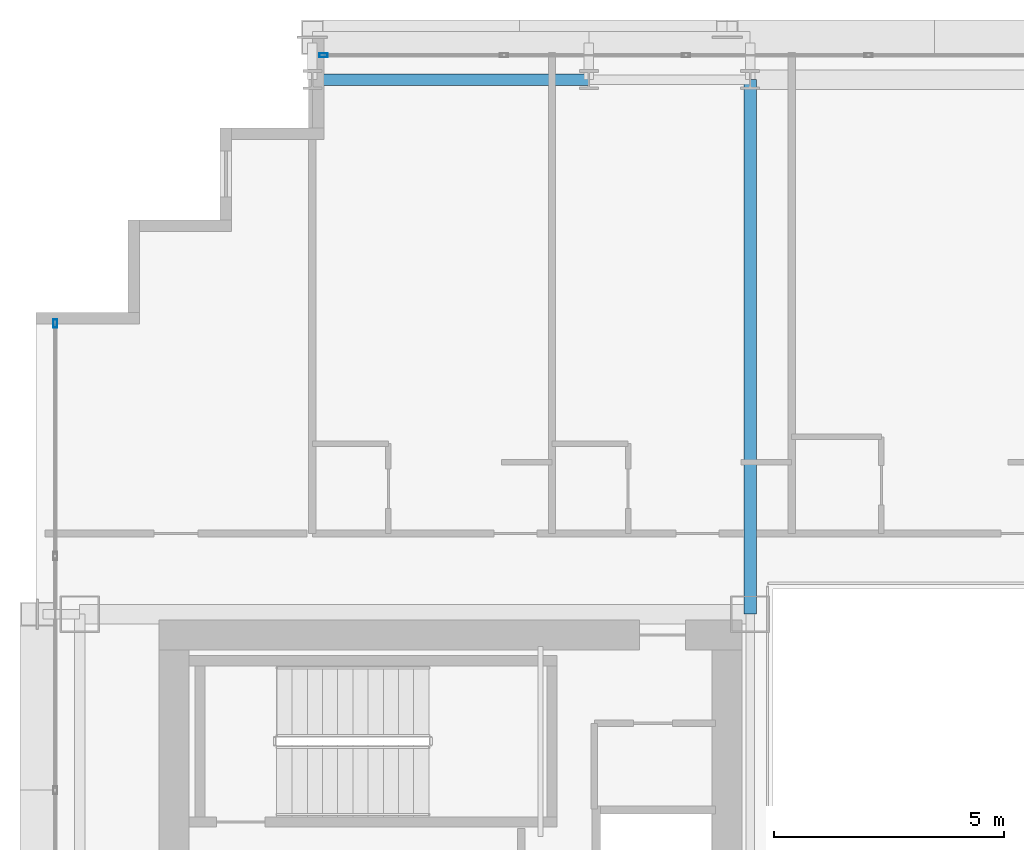
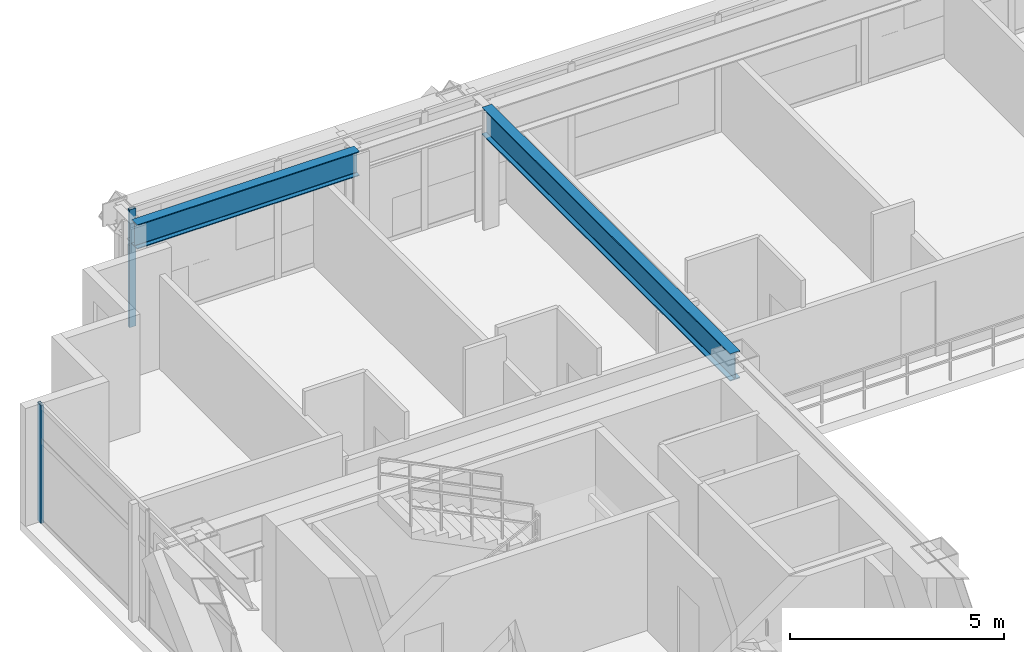
# One storey, part 17 of 35: 2 beams, 2 members, 2 elements without a shape of their own.
"""IFC4 building model written with IfcOpenShell, lengths in metres."""

import ifcopenshell
import ifcopenshell.guid

model = None  # the IFC model being written
_history = None  # IfcOwnerHistory: only IFC2X3 demands one
_inside = {}  # id of a spatial element -> (the spatial element, [elements in it])
_under = {}  # id of a project, library or spatial element -> (it, [spatial elements below it])
_declared = {}  # id of a project -> (the project, [libraries it declares])
_typed = {}  # id of a type object -> (the type object, [elements of that type])
_made_of = {}  # id of a material, layer set ... -> (it, [elements and type objects made of it])


def new_model(schema):
    """Start an empty IFC model of exactly this schema.

    Asked for "IFC4X3", IfcOpenShell would pick the latest addendum, in which some entities
    have other attributes; the version numbers below select the first issue.
    IFC2X3 requires an IfcOwnerHistory on every rooted entity: one is made here for all.
    """
    global model, _history
    if schema == "IFC4X3":
        model = ifcopenshell.file(schema_version=(4, 3, 0, 0))
    else:
        model = ifcopenshell.file(schema=schema)
    _inside.clear()
    _under.clear()
    _declared.clear()
    _typed.clear()
    _made_of.clear()
    _history = None
    if model.schema == "IFC2X3":
        org = make("IfcOrganization", Name="unknown")
        user = make(
            "IfcPersonAndOrganization",
            ThePerson=make("IfcPerson", FamilyName="unknown"),
            TheOrganization=org,
        )
        app = make(
            "IfcApplication",
            ApplicationDeveloper=org,
            Version="unknown",
            ApplicationFullName="unknown",
            ApplicationIdentifier="unknown",
        )
        _history = make(
            "IfcOwnerHistory",
            OwningUser=user,
            OwningApplication=app,
            ChangeAction="ADDED",
            CreationDate=0,
        )
    return model


def make(cls, **values):
    """One entity of the class cls with the attributes given. An attribute that is None is left unset."""
    return model.create_entity(
        cls, **{name: value for name, value in values.items() if value is not None}
    )


def rooted(cls, **values):
    """An entity with a GlobalId (a new one), such as an element, a storey or a relation."""
    return make(cls, GlobalId=ifcopenshell.guid.new(), OwnerHistory=_history, **values)


def si_unit(unit_type, name, prefix=None):
    """IfcSIUnit, for example si_unit("LENGTHUNIT", "METRE", prefix="MILLI")."""
    return make("IfcSIUnit", UnitType=unit_type, Prefix=prefix, Name=name)


def assignment(units):
    """IfcUnitAssignment: the units of a project."""
    return None if units is None else make("IfcUnitAssignment", Units=units)


def point(xyz):
    """IfcCartesianPoint."""
    return None if xyz is None else make("IfcCartesianPoint", Coordinates=xyz)


def direction(xyz):
    """IfcDirection."""
    return None if xyz is None else make("IfcDirection", DirectionRatios=xyz)


def frame(location, z_axis=None, x_axis=None):
    """IfcAxis2Placement3D, a coordinate frame: its origin and axes. An axis left out is left unset."""
    return make(
        "IfcAxis2Placement3D",
        Location=point(location),
        Axis=direction(z_axis),
        RefDirection=direction(x_axis),
    )


def frame_2d(location, x_axis=None):
    """IfcAxis2Placement2D, a coordinate frame in the plane: its origin and x axis."""
    return make(
        "IfcAxis2Placement2D", Location=point(location), RefDirection=direction(x_axis)
    )


def origin():
    """The frame at (0, 0, 0) with its axes left unset."""
    return frame((0.0, 0.0, 0.0))


def origin_2d():
    """The frame at (0, 0) in the plane with its x axis left unset."""
    return frame_2d((0.0, 0.0))


def place(relative_to, where):
    """IfcLocalPlacement: puts the frame where relative to a parent placement (None: the world)."""
    return make(
        "IfcLocalPlacement", PlacementRelTo=relative_to, RelativePlacement=where
    )


def context(
    kind, dimensions, precision=None, world=None, true_north=None, identifier=None
):
    """IfcGeometricRepresentationContext, for example the 3D "Model" context."""
    return make(
        "IfcGeometricRepresentationContext",
        ContextIdentifier=identifier,
        ContextType=kind,
        CoordinateSpaceDimension=dimensions,
        Precision=precision,
        WorldCoordinateSystem=world,
        TrueNorth=true_north,
    )


def subcontext(parent, identifier, kind, view, scale=None):
    """IfcGeometricRepresentationSubContext, for example "Body" below "Model"."""
    return make(
        "IfcGeometricRepresentationSubContext",
        ContextIdentifier=identifier,
        ContextType=kind,
        ParentContext=parent,
        TargetScale=scale,
        TargetView=view,
    )


def project(units=None, contexts=None):
    """IfcProject with its units and contexts."""
    return rooted(
        "IfcProject",
        Name="project",
        RepresentationContexts=contexts,
        UnitsInContext=assignment(units),
    )


def spatial(cls, under=None, at=None, **own):
    """A site, building, storey or space (cls), placed at a placement, below another one or the project."""
    s = rooted(cls, ObjectPlacement=at, **own)
    if under is not None:
        _under.setdefault(under.id(), (under, []))[1].append(s)
    return s


def profile(cls, at=None, kind="AREA", **sizes):
    """A parametric profile (cls). Its sizes go by their IFC names, for example OverallWidth=200.0."""
    return make(cls, ProfileType=kind, Position=at, **sizes)


def hollow_rectangle(**sizes):
    """IfcRectangleHollowProfileDef."""
    return profile("IfcRectangleHollowProfileDef", **sizes)


def i_section(**sizes):
    """IfcIShapeProfileDef."""
    return profile("IfcIShapeProfileDef", **sizes)


def extrude(swept, where, along, depth):
    """IfcExtrudedAreaSolid: the profile swept, set in the frame where, extruded along a direction by depth."""
    return make(
        "IfcExtrudedAreaSolid",
        SweptArea=swept,
        Position=where,
        ExtrudedDirection=direction(along),
        Depth=depth,
    )


def shape(context_of_items, identifier, shape_type, items):
    """IfcShapeRepresentation: the items that make up one representation, for example the "Body"."""
    return make(
        "IfcShapeRepresentation",
        ContextOfItems=context_of_items,
        RepresentationIdentifier=identifier,
        RepresentationType=shape_type,
        Items=items,
    )


def source(mapping_origin, context_of_items, identifier, shape_type, items):
    """IfcRepresentationMap: a shape defined once, which mapped items show again and again."""
    return make(
        "IfcRepresentationMap",
        MappingOrigin=mapping_origin,
        MappedRepresentation=shape(context_of_items, identifier, shape_type, items),
    )


def transform(
    local_origin,
    x_axis=None,
    y_axis=None,
    z_axis=None,
    scale=None,
    scale2=None,
    scale3=None,
    uniform=True,
):
    """IfcCartesianTransformationOperator3D, or its non-uniform kind. x_axis, y_axis, z_axis: its Axis1, 2, 3."""
    if uniform:
        return make(
            "IfcCartesianTransformationOperator3D",
            Axis1=direction(x_axis),
            Axis2=direction(y_axis),
            LocalOrigin=point(local_origin),
            Scale=scale,
            Axis3=direction(z_axis),
        )
    return make(
        "IfcCartesianTransformationOperator3DnonUniform",
        Axis1=direction(x_axis),
        Axis2=direction(y_axis),
        LocalOrigin=point(local_origin),
        Scale=scale,
        Axis3=direction(z_axis),
        Scale2=scale2,
        Scale3=scale3,
    )


def mapped(mapping_source, mapping_target):
    """IfcMappedItem: shows the shape of a source again, moved by a transform."""
    return make(
        "IfcMappedItem", MappingSource=mapping_source, MappingTarget=mapping_target
    )


def material(Name=None, Category=None):
    """IfcMaterial."""
    return make("IfcMaterial", Name=Name, Category=Category)


def layer(
    of_material, thickness, ventilated=None, Name=None, Category=None, Priority=None
):
    """IfcMaterialLayer: one layer of a wall or slab, of a material (None: an air gap)."""
    return make(
        "IfcMaterialLayer",
        Material=of_material,
        LayerThickness=thickness,
        IsVentilated=ventilated,
        Name=Name,
        Category=Category,
        Priority=Priority,
    )


def layer_set(layers, Name=None):
    """IfcMaterialLayerSet."""
    return make("IfcMaterialLayerSet", MaterialLayers=layers, LayerSetName=Name)


def material_profile(
    of_material, cross_section, Name=None, Category=None, Priority=None
):
    """IfcMaterialProfile: a cross section and its material."""
    return make(
        "IfcMaterialProfile",
        Name=Name,
        Material=of_material,
        Profile=cross_section,
        Priority=Priority,
        Category=Category,
    )


def profile_set(profiles, Name=None, composite=None):
    """IfcMaterialProfileSet."""
    return make(
        "IfcMaterialProfileSet",
        Name=Name,
        MaterialProfiles=profiles,
        CompositeProfile=composite,
    )


def made_of(thing, what):
    """Note that an element or type object is made of a material, layer set ...; save() writes the relation."""
    if what is not None:
        _made_of.setdefault(what.id(), (what, []))[1].append(thing)
    return thing


def type_object(cls, material=None, **own):
    """A type object (cls), such as IfcWallType, which elements share."""
    return made_of(rooted(cls, **own), material)


def element(
    cls,
    number,
    at=None,
    inside=None,
    cuts=None,
    type_object=None,
    material=None,
    context=None,
    identifier="Body",
    shape_type=None,
    held_by="IfcProductDefinitionShape",
    body=None,
    shapes=None,
    **own,
):
    """One element of the class cls, such as IfcWall. Its Tag is "e" and its number.

    at: its placement. inside: the storey or other place that contains it. cuts: it is an
    opening in that element (IfcRelVoidsElement). A single representation is given by context,
    identifier, shape_type and body (its items); several are given by shapes. held_by: the class
    of the entity that holds the representations. save() writes the other relations.
    """
    e = rooted(cls, Tag="e%d" % number, ObjectPlacement=at, **own)
    if body is not None:
        shapes = [shape(context, identifier, shape_type, body)]
    if shapes is not None:
        e.Representation = make(held_by, Representations=shapes)
    if inside is not None:
        _inside.setdefault(inside.id(), (inside, []))[1].append(e)
    if cuts is not None:
        rooted(
            "IfcRelVoidsElement", RelatingBuildingElement=cuts, RelatedOpeningElement=e
        )
    if type_object is not None:
        _typed.setdefault(type_object.id(), (type_object, []))[1].append(e)
    return made_of(e, material)


def aggregate(whole, parts):
    """IfcRelAggregates: a whole, such as a stair, and the parts it consists of."""
    return rooted("IfcRelAggregates", RelatingObject=whole, RelatedObjects=parts)


def save(model, path):
    """Write the relations noted so far, then the file.

    IfcRelAggregates (storeys below a building ...), IfcRelContainedInSpatialStructure (elements
    in a storey), IfcRelDefinesByType, IfcRelAssociatesMaterial and IfcRelDeclares: one each for
    every whole, place, type object, material and project.
    """
    for whole, parts in _under.values():
        aggregate(whole, parts)
    for where, things in _inside.values():
        rooted(
            "IfcRelContainedInSpatialStructure",
            RelatedElements=things,
            RelatingStructure=where,
        )
    for kind, things in _typed.values():
        rooted("IfcRelDefinesByType", RelatedObjects=things, RelatingType=kind)
    for what, things in _made_of.values():
        rooted("IfcRelAssociatesMaterial", RelatedObjects=things, RelatingMaterial=what)
    for by, libraries in _declared.values():
        rooted("IfcRelDeclares", RelatingContext=by, RelatedDefinitions=libraries)
    model.write(path)


model = new_model("IFC4")

# Units and contexts
model_context = context("Model", 3, precision=1e-05, world=origin(), true_north=direction((0.0, 1.0)))
body_context = subcontext(model_context, "Body", "Model", "MODEL_VIEW")
ifc_project = project(units=[si_unit("LENGTHUNIT", "METRE"), si_unit("AREAUNIT", "SQUARE_METRE"), si_unit("VOLUMEUNIT", "CUBIC_METRE"), si_unit("PLANEANGLEUNIT", "RADIAN"), si_unit("MASSUNIT", "GRAM", prefix="KILO")], contexts=[model_context])

# Site, building, storey
site_placement = place(None, origin())
site = spatial("IfcSite", under=ifc_project, at=site_placement, CompositionType="ELEMENT")
building_placement = place(site_placement, origin())
building = spatial("IfcBuilding", under=site, at=building_placement, Name="Ocotamira Hotel", CompositionType="ELEMENT")
storey_placement = place(building_placement, frame((0.0, 0.0, 100.800048828125)))
storey = spatial("IfcBuildingStorey", under=building, at=storey_placement, Name="L24", CompositionType="ELEMENT", Elevation=100.800048828125)

# Beams
ifc_material_1 = material(Name="Steel ASTM A992 Grade 50", Category="steel")
ifc_material_profile_1 = material_profile(ifc_material_1, i_section(OverallWidth=0.256103515625, OverallDepth=0.693115234375, WebThickness=0.014404296875, FlangeThickness=0.023681640625, FilletRadius=0.01611328125, at=origin_2d()), Name="W27X114")
ifc_profile_set_1 = profile_set([ifc_material_profile_1], Name="Steel ASTM A992 Grade 50")
beam_type_1 = type_object("IfcBeamType", Name="BM-PRIM-W27X114", PredefinedType="BEAM", material=ifc_profile_set_1)
shared_shape_1 = source(origin(), body_context, "Body", "SweptSolid", [
    extrude(i_section(OverallWidth=0.256103515625, OverallDepth=0.693115234375, WebThickness=0.014404296875, FlangeThickness=0.023681640625, FilletRadius=0.01611328125, at=origin_2d()), origin(), (0.0, 0.0, 1.0), 6.0),
])
beam_1_placement = place(storey_placement, frame((14.0, 49.050048828125, 3.013427734375), z_axis=(1.0, 0.0, 0.0), x_axis=(0.0, 1.0, 0.0)))
element("IfcBeam", 1, at=beam_1_placement, inside=storey, type_object=beam_type_1, Name="L24 Girder Y49.05 X14-20", PredefinedType="BEAM", context=body_context, shape_type="MappedRepresentation", body=[
    mapped(shared_shape_1, transform((0.0, 0.0, 0.0), scale=1.0)),
])
ifc_material_profile_2 = material_profile(ifc_material_1, i_section(OverallWidth=0.26611328125, OverallDepth=0.779052734375, WebThickness=0.0166015625, FlangeThickness=0.030029296875, FilletRadius=0.01806640625, at=origin_2d()), Name="W30X148")
ifc_profile_set_2 = profile_set([ifc_material_profile_2], Name="Steel ASTM A992 Grade 50")
beam_type_2 = type_object("IfcBeamType", Name="BM-GIRD-W30X148", PredefinedType="BEAM", material=ifc_profile_set_2)
shared_shape_2 = source(origin(), body_context, "Body", "SweptSolid", [
    extrude(i_section(OverallWidth=0.26611328125, OverallDepth=0.779052734375, WebThickness=0.0166015625, FlangeThickness=0.030029296875, FilletRadius=0.01806640625, at=origin_2d()), origin(), (0.0, 0.0, 1.0), 11.60009765625),
])
beam_2_placement = place(storey_placement, frame((23.5, 37.449951171875, 2.970458984375), z_axis=(0.0, 1.0, 0.0), x_axis=(-1.0, 0.0, 0.0)))
element("IfcBeam", 2, at=beam_2_placement, inside=storey, type_object=beam_type_2, Name="L24 Beam X23.5 Y37.45-49.05", PredefinedType="BEAM", context=body_context, shape_type="MappedRepresentation", body=[
    mapped(shared_shape_2, transform((0.0, 0.0, 0.0), scale=1.0)),
])

# Curtain wall, member
ifc_material_2 = material(Name="Anodised pale-metal aluminium and solar glass", Category="aluminium")
ifc_layer = layer(ifc_material_2, 0.179931640625)
ifc_layer_set = layer_set([ifc_layer], Name="Anodised pale-metal aluminium and solar glass")
curtain_wall_type = type_object("IfcCurtainWallType", Name="CW-SYS3-Z2", PredefinedType="NOTDEFINED", material=ifc_layer_set)
curtain_wall_1_placement = place(storey_placement, origin())
curtain_wall_1 = element("IfcCurtainWall", 3, at=curtain_wall_1_placement, inside=storey, type_object=curtain_wall_type, Name="L24 Curtain Wall CW-3 CW-L24-N", PredefinedType="NOTDEFINED")
ifc_material_3 = material(Name="Anodised pale-metal aluminium 6063-T6", Category="aluminium")
ifc_material_profile_3 = material_profile(ifc_material_3, hollow_rectangle(XDim=0.080078125, YDim=0.179931640625, WallThickness=0.006103515625, at=origin_2d()), Name="HSS180X80X6")
ifc_profile_set_3 = profile_set([ifc_material_profile_3], Name="Anodised pale-metal aluminium 6063-T6")
member_type = type_object("IfcMemberType", Name="CWM-180X75", PredefinedType="MULLION", material=ifc_profile_set_3)
shared_shape_3 = source(origin(), body_context, "Body", "SweptSolid", [
    extrude(hollow_rectangle(XDim=0.080078125, YDim=0.179931640625, WallThickness=0.006103515625, at=origin_2d()), origin(), (0.0, 0.0, 1.0), 3.35986328125),
])
member_1_placement = place(storey_placement, frame((14.239990234375, 49.580078125, 0.0), z_axis=(0.0, 0.0, 1.0), x_axis=(0.0, 1.0, 0.0)))
member_1 = element("IfcMember", 4, at=member_1_placement, type_object=member_type, Name="CW-3 mullion 1", PredefinedType="MULLION", context=body_context, shape_type="MappedRepresentation", body=[
    mapped(shared_shape_3, transform((0.0, 0.0, 0.0), scale=1.0)),
])
aggregate(curtain_wall_1, [member_1])

curtain_wall_2_placement = place(storey_placement, origin())
curtain_wall_2 = element("IfcCurtainWall", 5, at=curtain_wall_2_placement, inside=storey, type_object=curtain_wall_type, Name="L24 Curtain Wall CW-3 CW-L24-W", PredefinedType="NOTDEFINED")
member_2_placement = place(storey_placement, frame((8.419921875, 43.760009765625, 0.0), z_axis=(0.0, 0.0, 1.0), x_axis=(-1.0, 0.0, 0.0)))
member_2 = element("IfcMember", 6, at=member_2_placement, type_object=member_type, Name="CW-3 mullion 8", PredefinedType="MULLION", context=body_context, shape_type="MappedRepresentation", body=[
    mapped(shared_shape_3, transform((0.0, 0.0, 0.0), scale=1.0)),
])
aggregate(curtain_wall_2, [member_2])

save(model, "model.ifc")
